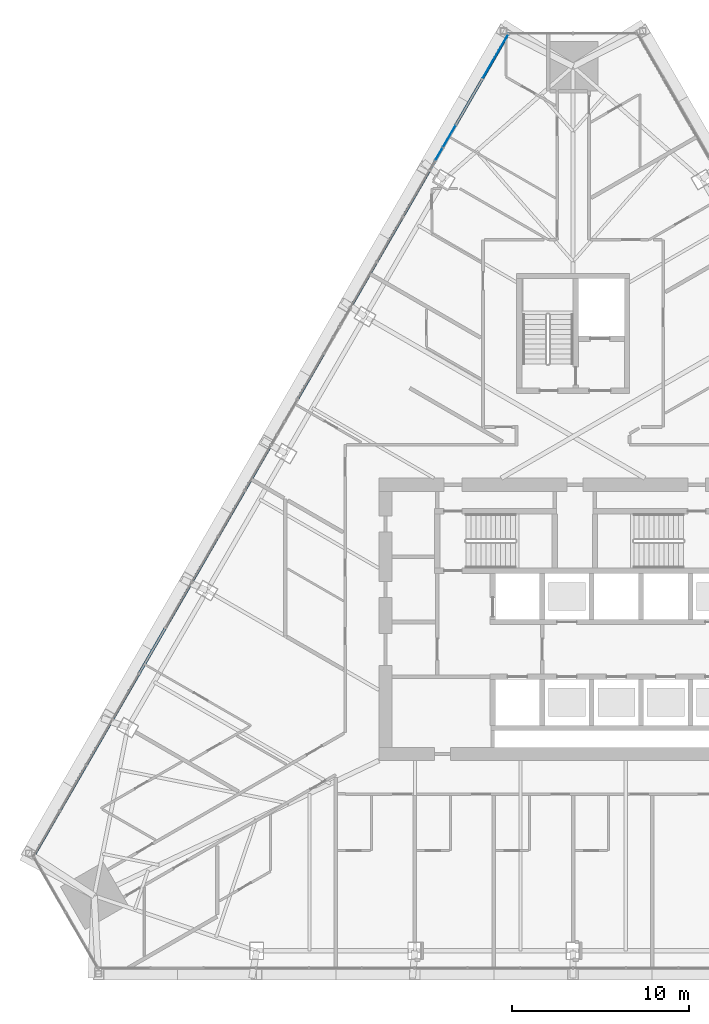
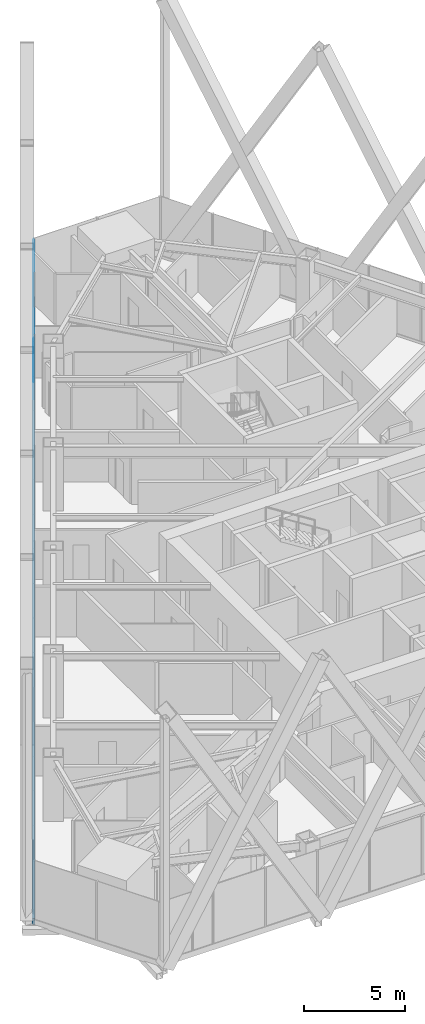
# One storey, part 7 of 24: 4 plates, 1 member, 2 openings, 1 element without a shape of its own.
"""IFC4 building model written with IfcOpenShell, lengths in metres."""

import ifcopenshell
import ifcopenshell.guid

model = None  # the IFC model being written
_history = None  # IfcOwnerHistory: only IFC2X3 demands one
_inside = {}  # id of a spatial element -> (the spatial element, [elements in it])
_under = {}  # id of a project, library or spatial element -> (it, [spatial elements below it])
_declared = {}  # id of a project -> (the project, [libraries it declares])
_typed = {}  # id of a type object -> (the type object, [elements of that type])
_made_of = {}  # id of a material, layer set ... -> (it, [elements and type objects made of it])


def new_model(schema):
    """Start an empty IFC model of exactly this schema.

    Asked for "IFC4X3", IfcOpenShell would pick the latest addendum, in which some entities
    have other attributes; the version numbers below select the first issue.
    IFC2X3 requires an IfcOwnerHistory on every rooted entity: one is made here for all.
    """
    global model, _history
    if schema == "IFC4X3":
        model = ifcopenshell.file(schema_version=(4, 3, 0, 0))
    else:
        model = ifcopenshell.file(schema=schema)
    _inside.clear()
    _under.clear()
    _declared.clear()
    _typed.clear()
    _made_of.clear()
    _history = None
    if model.schema == "IFC2X3":
        org = make("IfcOrganization", Name="unknown")
        user = make(
            "IfcPersonAndOrganization",
            ThePerson=make("IfcPerson", FamilyName="unknown"),
            TheOrganization=org,
        )
        app = make(
            "IfcApplication",
            ApplicationDeveloper=org,
            Version="unknown",
            ApplicationFullName="unknown",
            ApplicationIdentifier="unknown",
        )
        _history = make(
            "IfcOwnerHistory",
            OwningUser=user,
            OwningApplication=app,
            ChangeAction="ADDED",
            CreationDate=0,
        )
    return model


def make(cls, **values):
    """One entity of the class cls with the attributes given. An attribute that is None is left unset."""
    return model.create_entity(
        cls, **{name: value for name, value in values.items() if value is not None}
    )


def rooted(cls, **values):
    """An entity with a GlobalId (a new one), such as an element, a storey or a relation."""
    return make(cls, GlobalId=ifcopenshell.guid.new(), OwnerHistory=_history, **values)


def si_unit(unit_type, name, prefix=None):
    """IfcSIUnit, for example si_unit("LENGTHUNIT", "METRE", prefix="MILLI")."""
    return make("IfcSIUnit", UnitType=unit_type, Prefix=prefix, Name=name)


def assignment(units):
    """IfcUnitAssignment: the units of a project."""
    return None if units is None else make("IfcUnitAssignment", Units=units)


def point(xyz):
    """IfcCartesianPoint."""
    return None if xyz is None else make("IfcCartesianPoint", Coordinates=xyz)


def direction(xyz):
    """IfcDirection."""
    return None if xyz is None else make("IfcDirection", DirectionRatios=xyz)


def frame(location, z_axis=None, x_axis=None):
    """IfcAxis2Placement3D, a coordinate frame: its origin and axes. An axis left out is left unset."""
    return make(
        "IfcAxis2Placement3D",
        Location=point(location),
        Axis=direction(z_axis),
        RefDirection=direction(x_axis),
    )


def frame_2d(location, x_axis=None):
    """IfcAxis2Placement2D, a coordinate frame in the plane: its origin and x axis."""
    return make(
        "IfcAxis2Placement2D", Location=point(location), RefDirection=direction(x_axis)
    )


def origin():
    """The frame at (0, 0, 0) with its axes left unset."""
    return frame((0.0, 0.0, 0.0))


def origin_2d():
    """The frame at (0, 0) in the plane with its x axis left unset."""
    return frame_2d((0.0, 0.0))


def place(relative_to, where):
    """IfcLocalPlacement: puts the frame where relative to a parent placement (None: the world)."""
    return make(
        "IfcLocalPlacement", PlacementRelTo=relative_to, RelativePlacement=where
    )


def context(
    kind, dimensions, precision=None, world=None, true_north=None, identifier=None
):
    """IfcGeometricRepresentationContext, for example the 3D "Model" context."""
    return make(
        "IfcGeometricRepresentationContext",
        ContextIdentifier=identifier,
        ContextType=kind,
        CoordinateSpaceDimension=dimensions,
        Precision=precision,
        WorldCoordinateSystem=world,
        TrueNorth=true_north,
    )


def subcontext(parent, identifier, kind, view, scale=None):
    """IfcGeometricRepresentationSubContext, for example "Body" below "Model"."""
    return make(
        "IfcGeometricRepresentationSubContext",
        ContextIdentifier=identifier,
        ContextType=kind,
        ParentContext=parent,
        TargetScale=scale,
        TargetView=view,
    )


def project(units=None, contexts=None):
    """IfcProject with its units and contexts."""
    return rooted(
        "IfcProject",
        Name="project",
        RepresentationContexts=contexts,
        UnitsInContext=assignment(units),
    )


def spatial(cls, under=None, at=None, **own):
    """A site, building, storey or space (cls), placed at a placement, below another one or the project."""
    s = rooted(cls, ObjectPlacement=at, **own)
    if under is not None:
        _under.setdefault(under.id(), (under, []))[1].append(s)
    return s


def polyline(points):
    """IfcPolyline through the points."""
    return make("IfcPolyline", Points=[point(p) for p in points])


def profile(cls, at=None, kind="AREA", **sizes):
    """A parametric profile (cls). Its sizes go by their IFC names, for example OverallWidth=200.0."""
    return make(cls, ProfileType=kind, Position=at, **sizes)


def rectangle(**sizes):
    """IfcRectangleProfileDef."""
    return profile("IfcRectangleProfileDef", **sizes)


def outline(outer, holes=None, kind="AREA"):
    """IfcArbitraryClosedProfileDef: a profile drawn as a closed curve; with holes, ...WithVoids."""
    if holes is None:
        return make("IfcArbitraryClosedProfileDef", ProfileType=kind, OuterCurve=outer)
    return make(
        "IfcArbitraryProfileDefWithVoids",
        ProfileType=kind,
        OuterCurve=outer,
        InnerCurves=holes,
    )


def extrude(swept, where, along, depth):
    """IfcExtrudedAreaSolid: the profile swept, set in the frame where, extruded along a direction by depth."""
    return make(
        "IfcExtrudedAreaSolid",
        SweptArea=swept,
        Position=where,
        ExtrudedDirection=direction(along),
        Depth=depth,
    )


def shape(context_of_items, identifier, shape_type, items):
    """IfcShapeRepresentation: the items that make up one representation, for example the "Body"."""
    return make(
        "IfcShapeRepresentation",
        ContextOfItems=context_of_items,
        RepresentationIdentifier=identifier,
        RepresentationType=shape_type,
        Items=items,
    )


def material(Name=None, Category=None):
    """IfcMaterial."""
    return make("IfcMaterial", Name=Name, Category=Category)


def layer(
    of_material, thickness, ventilated=None, Name=None, Category=None, Priority=None
):
    """IfcMaterialLayer: one layer of a wall or slab, of a material (None: an air gap)."""
    return make(
        "IfcMaterialLayer",
        Material=of_material,
        LayerThickness=thickness,
        IsVentilated=ventilated,
        Name=Name,
        Category=Category,
        Priority=Priority,
    )


def layer_set(layers, Name=None):
    """IfcMaterialLayerSet."""
    return make("IfcMaterialLayerSet", MaterialLayers=layers, LayerSetName=Name)


def material_profile(
    of_material, cross_section, Name=None, Category=None, Priority=None
):
    """IfcMaterialProfile: a cross section and its material."""
    return make(
        "IfcMaterialProfile",
        Name=Name,
        Material=of_material,
        Profile=cross_section,
        Priority=Priority,
        Category=Category,
    )


def profile_set(profiles, Name=None, composite=None):
    """IfcMaterialProfileSet."""
    return make(
        "IfcMaterialProfileSet",
        Name=Name,
        MaterialProfiles=profiles,
        CompositeProfile=composite,
    )


def made_of(thing, what):
    """Note that an element or type object is made of a material, layer set ...; save() writes the relation."""
    if what is not None:
        _made_of.setdefault(what.id(), (what, []))[1].append(thing)
    return thing


def type_object(cls, material=None, **own):
    """A type object (cls), such as IfcWallType, which elements share."""
    return made_of(rooted(cls, **own), material)


def element(
    cls,
    number,
    at=None,
    inside=None,
    cuts=None,
    type_object=None,
    material=None,
    context=None,
    identifier="Body",
    shape_type=None,
    held_by="IfcProductDefinitionShape",
    body=None,
    shapes=None,
    **own,
):
    """One element of the class cls, such as IfcWall. Its Tag is "e" and its number.

    at: its placement. inside: the storey or other place that contains it. cuts: it is an
    opening in that element (IfcRelVoidsElement). A single representation is given by context,
    identifier, shape_type and body (its items); several are given by shapes. held_by: the class
    of the entity that holds the representations. save() writes the other relations.
    """
    e = rooted(cls, Tag="e%d" % number, ObjectPlacement=at, **own)
    if body is not None:
        shapes = [shape(context, identifier, shape_type, body)]
    if shapes is not None:
        e.Representation = make(held_by, Representations=shapes)
    if inside is not None:
        _inside.setdefault(inside.id(), (inside, []))[1].append(e)
    if cuts is not None:
        rooted(
            "IfcRelVoidsElement", RelatingBuildingElement=cuts, RelatedOpeningElement=e
        )
    if type_object is not None:
        _typed.setdefault(type_object.id(), (type_object, []))[1].append(e)
    return made_of(e, material)


def aggregate(whole, parts):
    """IfcRelAggregates: a whole, such as a stair, and the parts it consists of."""
    return rooted("IfcRelAggregates", RelatingObject=whole, RelatedObjects=parts)


def save(model, path):
    """Write the relations noted so far, then the file.

    IfcRelAggregates (storeys below a building ...), IfcRelContainedInSpatialStructure (elements
    in a storey), IfcRelDefinesByType, IfcRelAssociatesMaterial and IfcRelDeclares: one each for
    every whole, place, type object, material and project.
    """
    for whole, parts in _under.values():
        aggregate(whole, parts)
    for where, things in _inside.values():
        rooted(
            "IfcRelContainedInSpatialStructure",
            RelatedElements=things,
            RelatingStructure=where,
        )
    for kind, things in _typed.values():
        rooted("IfcRelDefinesByType", RelatedObjects=things, RelatingType=kind)
    for what, things in _made_of.values():
        rooted("IfcRelAssociatesMaterial", RelatedObjects=things, RelatingMaterial=what)
    for by, libraries in _declared.values():
        rooted("IfcRelDeclares", RelatingContext=by, RelatedDefinitions=libraries)
    model.write(path)


model = new_model("IFC4")

# Units and contexts
model_context = context("Model", 3, precision=1e-05, world=origin(), true_north=direction((0.0, 1.0)))
body_context = subcontext(model_context, "Body", "Model", "MODEL_VIEW")
ifc_project = project(units=[si_unit("LENGTHUNIT", "METRE"), si_unit("AREAUNIT", "SQUARE_METRE"), si_unit("VOLUMEUNIT", "CUBIC_METRE"), si_unit("PLANEANGLEUNIT", "RADIAN"), si_unit("MASSUNIT", "GRAM", prefix="KILO")], contexts=[model_context])

# Site, building, storey
site_placement = place(None, origin())
site = spatial("IfcSite", under=ifc_project, at=site_placement, CompositionType="ELEMENT")
building_placement = place(site_placement, origin())
building = spatial("IfcBuilding", under=site, at=building_placement, Name="Firuza Gate Tower and Library", CompositionType="ELEMENT")
storey_placement = place(building_placement, frame((0.0, 0.0, 171.39990234375)))
storey = spatial("IfcBuildingStorey", under=building, at=storey_placement, Name="L39", CompositionType="ELEMENT", Elevation=171.39990234375)

# Curtain wall, openings, member, plates
ifc_material_1 = material(Name="Aluminium 6063-T6", Category="aluminium")
ifc_layer_1 = layer(ifc_material_1, 0.14990234375)
ifc_layer_set_1 = layer_set([ifc_layer_1], Name="Unitised curtain wall, hotel")
curtain_wall_type = type_object("IfcCurtainWallType", Name="Unitised curtain wall, hotel", PredefinedType="NOTDEFINED", material=ifc_layer_set_1)
curtain_wall_placement = place(storey_placement, origin())
curtain_wall = element("IfcCurtainWall", 1, at=curtain_wall_placement, inside=storey, type_object=curtain_wall_type, Name="CW2 L39 W face", PredefinedType="NOTDEFINED")
opening_1_placement = place(curtain_wall_placement, frame((69.840576171875, 105.572509765625, 0.150146484375), z_axis=(0.0, 0.0, 1.0), x_axis=(-0.5, -0.866025, 0.0)))
element("IfcOpeningElement", 2, at=opening_1_placement, cuts=curtain_wall, Name="Opening WD1-005", PredefinedType="OPENING", context=body_context, shape_type="SweptSolid", body=[
    extrude(rectangle(XDim=2.912109375, YDim=3.550048828125, at=frame_2d((1.4560546875, 1.77490234375))), frame((0.0, 0.0849609375, 0.0), z_axis=(0.0, -1.0, 0.0), x_axis=(1.0, 0.0, 0.0)), (0.0, 0.0, 1.0), 0.169921875),
])
opening_2_placement = place(curtain_wall_placement, frame((51.887939453125, 74.4775390625, 0.150146484375), z_axis=(0.0, 0.0, 1.0), x_axis=(-0.5, -0.866025, 0.0)))
element("IfcOpeningElement", 3, at=opening_2_placement, cuts=curtain_wall, Name="Opening WD1-006", PredefinedType="OPENING", context=body_context, shape_type="SweptSolid", body=[
    extrude(rectangle(XDim=2.912109375, YDim=3.550048828125, at=frame_2d((1.4560546875, 1.77490234375))), frame((0.0, 0.0849609375, 0.0), z_axis=(0.0, -1.0, 0.0), x_axis=(1.0, 0.0, 0.0)), (0.0, 0.0, 1.0), 0.169921875),
])
ifc_material_2 = material(Name="Aluminium 6063-T6", Category="aluminium")
ifc_material_profile = material_profile(ifc_material_2, rectangle(XDim=0.14990234375, YDim=0.35009765625, at=origin_2d()))
ifc_profile_set = profile_set([ifc_material_profile], Name="Aluminium 6063-T6")
member_type = type_object("IfcMemberType", Name="Curtain wall transom 350x150", PredefinedType="USERDEFINED", material=ifc_profile_set)
member_placement = place(storey_placement, frame((71.356689453125, 108.198486328125, -0.02490234375), z_axis=(-0.499997911762, -0.866026609426, 0.0), x_axis=(0.866026609426, -0.499997911762, 0.0)))
member = element("IfcMember", 4, at=member_placement, type_object=member_type, Name="Transom", ObjectType="TRANSOM", PredefinedType="USERDEFINED", context=body_context, shape_type="SweptSolid", body=[
    extrude(rectangle(XDim=0.14990234375, YDim=0.35009765625, at=origin_2d()), origin(), (0.0, 0.0, 1.0), 53.858154296875),
])
ifc_material_3 = material(Name="Fritted glass", Category="glass")
ifc_layer_2 = layer(ifc_material_3, 0.030029296875)
ifc_layer_set_2 = layer_set([ifc_layer_2], Name="Fritted glass unit, hotel")
plate_type_1 = type_object("IfcPlateType", Name="Fritted glass unit, hotel", PredefinedType="CURTAIN_PANEL", material=ifc_layer_set_2)
plate_1_placement = place(storey_placement, frame((68.33154296875, 102.98876953125, 0.150146484375), z_axis=(-0.866038455972, 0.499977392266, 0.0), x_axis=(-0.499977392266, -0.866038455972, 0.0)))
plate_1 = element("IfcPlate", 5, at=plate_1_placement, type_object=plate_type_1, Name="Glass unit", PredefinedType="CURTAIN_PANEL", context=body_context, shape_type="SweptSolid", body=[
    extrude(outline(polyline([(0.0, 0.0), (1.4092434071008832, 0.0), (1.4092434071008832, 1.73486328125), (0.0, 1.73486328125), (0.0, 0.0)])), origin(), (0.0, 0.0, -1.0), 0.030029296875),
])
ifc_material_4 = material(Name="Glazed ceramic tile")
ifc_layer_3 = layer(ifc_material_4, 0.030029296875)
ifc_layer_set_3 = layer_set([ifc_layer_3], Name="Opaque ceramic panel, hotel")
plate_type_2 = type_object("IfcPlateType", Name="Opaque ceramic panel, hotel", PredefinedType="CURTAIN_PANEL", material=ifc_layer_set_3)
plate_2_placement = place(storey_placement, frame((71.32373046875, 108.17138671875, 0.150146484375), z_axis=(-0.866026430432, 0.49999822179, 0.0), x_axis=(-0.49999822179, -0.866026430432, 0.0)))
plate_2 = element("IfcPlate", 6, at=plate_2_placement, type_object=plate_type_2, Name="Opaque ceramic panel", PredefinedType="CURTAIN_PANEL", context=body_context, shape_type="SweptSolid", body=[
    extrude(outline(polyline([(0.0, 0.0), (2.9121197317183585, 0.0), (2.9121197317183585, 3.550048828125), (0.0, 3.550048828125), (0.0, 0.0)])), origin(), (0.0, 0.0, -1.0), 0.030029296875),
])
plate_3_placement = place(storey_placement, frame((67.5869140625, 101.698974609375, 0.150146484375), z_axis=(-0.866016993445, 0.500014566852, 0.0), x_axis=(-0.500014566852, -0.866016993445, 0.0)))
plate_3 = element("IfcPlate", 7, at=plate_3_placement, type_object=plate_type_2, Name="Opaque ceramic panel", PredefinedType="CURTAIN_PANEL", context=body_context, shape_type="SweptSolid", body=[
    extrude(outline(polyline([(0.0, 0.0), (1.4228101107725801, 0.0), (1.4228101107725801, 1.73486328125), (0.0, 1.73486328125), (0.0, 0.0)])), origin(), (0.0, 0.0, -1.0), 0.030029296875),
])
plate_4_placement = place(storey_placement, frame((68.33154296875, 102.98876953125, 1.965087890625), z_axis=(-0.866014732592, 0.500018482592, 0.0), x_axis=(-0.500018482592, -0.866014732592, 0.0)))
plate_4 = element("IfcPlate", 8, at=plate_4_placement, type_object=plate_type_2, Name="Opaque ceramic panel", PredefinedType="CURTAIN_PANEL", context=body_context, shape_type="SweptSolid", body=[
    extrude(outline(polyline([(0.0, 0.0), (2.2606586218398954, 0.0), (2.2606586218398954, 1.735107421875), (0.0, 1.735107421875), (0.0, 0.0)])), origin(), (0.0, 0.0, -1.0), 0.030029296875),
])
aggregate(curtain_wall, [member, plate_2, plate_1, plate_3, plate_4])

save(model, "model.ifc")
